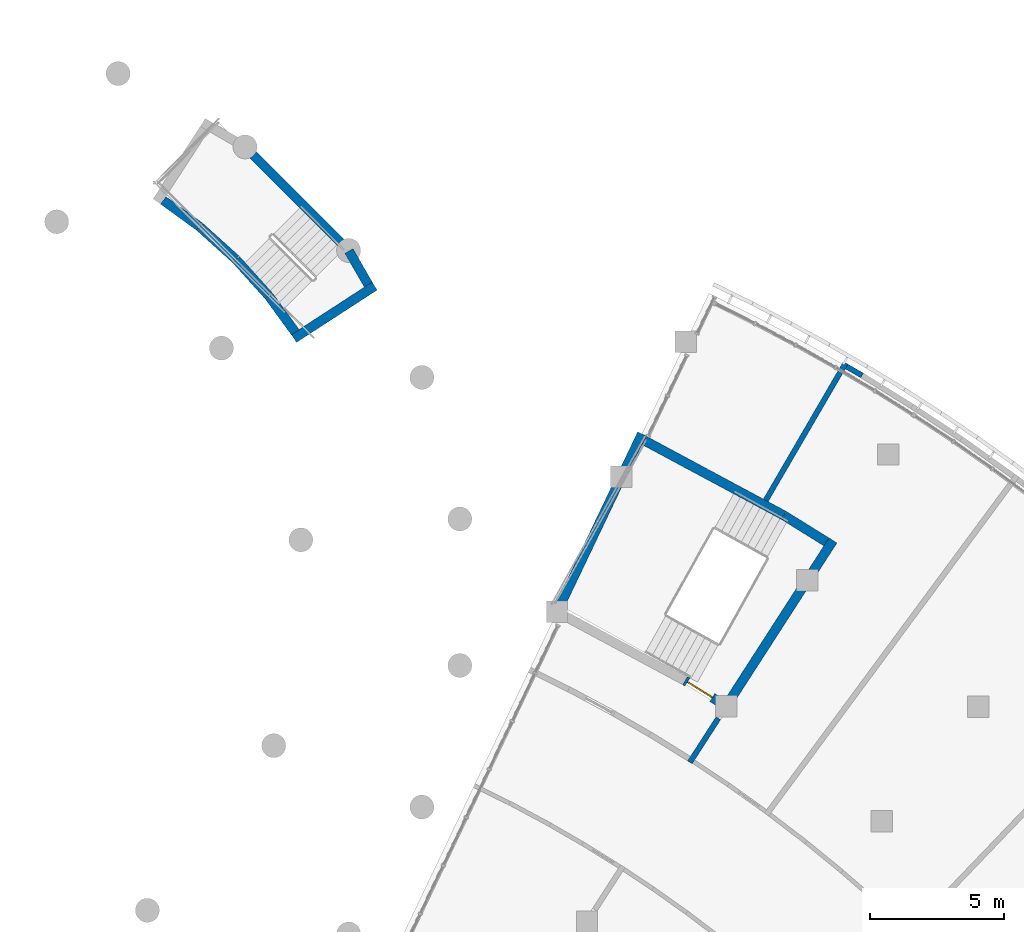
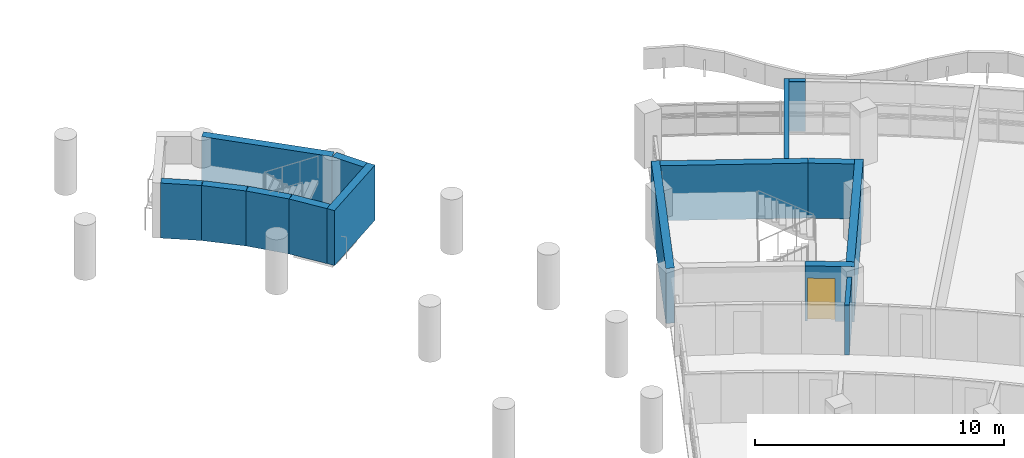
# One storey, part 41 of 89: 15 walls, 1 door, 1 opening.
"""IFC4 building model written with IfcOpenShell, lengths in metres."""

from ifc_helpers import new_model, si_unit, direction, frame, frame_2d, origin, place, context, subcontext, project, spatial, rectangle, extrude, material, layer, layer_set, type_object, element, fill, save


model = new_model("IFC4")

# Units and contexts
model_context = context("Model", 3, precision=1e-05, world=origin(), true_north=direction((0.0, 1.0)))
body_context = subcontext(model_context, "Body", "Model", "MODEL_VIEW")
ifc_project = project(units=[si_unit("LENGTHUNIT", "METRE"), si_unit("AREAUNIT", "SQUARE_METRE"), si_unit("VOLUMEUNIT", "CUBIC_METRE"), si_unit("PLANEANGLEUNIT", "RADIAN"), si_unit("MASSUNIT", "GRAM", prefix="KILO")], contexts=[model_context])

# Site, building, storey
site_placement = place(None, origin())
site = spatial("IfcSite", under=ifc_project, at=site_placement, CompositionType="ELEMENT")
building_placement = place(site_placement, origin())
building = spatial("IfcBuilding", under=site, at=building_placement, Name="Bougainvillea Quay General Hospital", CompositionType="ELEMENT")
storey_placement = place(building_placement, frame((0.0, 0.0, 9.89990234375)))
storey = spatial("IfcBuildingStorey", under=building, at=storey_placement, Name="L01M", CompositionType="ELEMENT", Elevation=9.89990234375)

# Walls
ifc_material_1 = material(Name="Fire-rated autoclaved aerated block wall, plastered")
ifc_layer_1 = layer(ifc_material_1, 0.199951171875)
ifc_layer_set_1 = layer_set([ifc_layer_1], Name="Fire-rated autoclaved aerated block wall, plastered")
wall_type_1 = type_object("IfcWallType", Name="Partition 200 Fire-rated autoclaved aerated block wall EI 120", PredefinedType="SOLIDWALL", material=ifc_layer_set_1)
wall_1_placement = place(storey_placement, frame((138.624755859375, 67.636962890625, 0.0), z_axis=(0.0, 0.0, 1.0), x_axis=(0.541789312023, 0.840514331453, 0.0)))
element("IfcWall", 1, at=wall_1_placement, inside=storey, type_object=wall_type_1, Name="Partition 200 mm EI 120", PredefinedType="SOLIDWALL", context=body_context, shape_type="SweptSolid", body=[
    extrude(rectangle(XDim=1.960693359375, YDim=0.199951171875, at=frame_2d((0.98046875, 0.0))), origin(), (0.0, 0.0, 1.0), 2.4501953125),
])
ifc_layer_2 = layer(ifc_material_1, 0.199951171875)
ifc_layer_set_2 = layer_set([ifc_layer_2], Name="Fire-rated autoclaved aerated block wall, plastered")
wall_type_2 = type_object("IfcWallType", Name="Partition 200 Fire-rated autoclaved aerated block wall EI 60", PredefinedType="SOLIDWALL", material=ifc_layer_set_2)
wall_2_placement = place(storey_placement, frame((141.462646484375, 77.43798828125, 0.0), z_axis=(0.0, 0.0, 1.0), x_axis=(0.502939293414, 0.864321738209, 0.0)))
element("IfcWall", 2, at=wall_2_placement, inside=storey, type_object=wall_type_2, Name="Partition 200 mm EI 60", PredefinedType="SOLIDWALL", context=body_context, shape_type="SweptSolid", body=[
    extrude(rectangle(XDim=5.948486328125, YDim=0.199951171875, at=frame_2d((2.97412109375, 0.0))), origin(), (0.0, 0.0, 1.0), 2.4501953125),
])
wall_3_placement = place(storey_placement, frame((144.490966796875, 82.44287109375, 0.0), z_axis=(0.0, 0.0, 1.0), x_axis=(0.865811983262, -0.500369473129, 0.0)))
element("IfcWall", 3, at=wall_3_placement, inside=storey, type_object=wall_type_2, Name="Partition 200 mm EI 60", PredefinedType="SOLIDWALL", context=body_context, shape_type="SweptSolid", body=[
    extrude(rectangle(XDim=0.6640625, YDim=0.199951171875, at=frame_2d((0.33203125, 0.0))), origin(), (0.0, 0.0, 1.0), 2.4501953125),
])
ifc_material_2 = material(Name="Concrete C40", Category="concrete")
ifc_layer_3 = layer(ifc_material_2, 0.35009765625)
ifc_layer_set_3 = layer_set([ifc_layer_3], Name="Concrete C40")
wall_type_3 = type_object("IfcWallType", Name="RC SHEAR WALL 350 C40", PredefinedType="SHEAR", material=ifc_layer_set_3)
wall_4_placement = place(storey_placement, frame((118.927490234375, 88.658203125, 0.0), z_axis=(0.0, 0.0, 1.0), x_axis=(0.808869786542, -0.587987813155, 0.0)))
element("IfcWall", 4, at=wall_4_placement, inside=storey, type_object=wall_type_3, Name="Shear wall L01M", PredefinedType="SHEAR", context=body_context, shape_type="SweptSolid", body=[
    extrude(rectangle(XDim=1.657958984375, YDim=0.35009765625, at=frame_2d((0.8291015625, 0.0))), origin(), (0.0, 0.0, 1.0), 2.7001953125),
])
for number, where, z_axis, x_axis, name in (
    (5, (120.28271484375, 87.671875, 0.0), (0.0, 0.0, 1.0), (0.743081147279, -0.669201321397, 0.0), "Shear wall L01M"),
    (6, (121.651123046875, 86.438232421875, 0.0), (0.0, 0.0, 1.0), (0.669201321397, -0.743081147279, 0.0), "Shear wall L01M"),
):
    element("IfcWall", number, at=place(storey_placement, frame(where, z_axis=z_axis, x_axis=x_axis)), inside=storey, type_object=wall_type_3, Name=name, PredefinedType="SHEAR", context=body_context, shape_type="SweptSolid", body=[
        extrude(rectangle(XDim=1.82421875, YDim=0.35009765625, at=frame_2d((0.912109375, 0.0))), origin(), (0.0, 0.0, 1.0), 2.7001953125),
    ])
wall_5_placement = place(storey_placement, frame((122.000244140625, 90.643798828125, 0.0), z_axis=(0.0, 0.0, 1.0), x_axis=(0.707106781187, -0.707106781187, 0.0)))
element("IfcWall", 7, at=wall_5_placement, inside=storey, type_object=wall_type_3, Name="Shear wall L01M", PredefinedType="SHEAR", context=body_context, shape_type="SweptSolid", body=[
    extrude(rectangle(XDim=5.435546875, YDim=0.35009765625, at=frame_2d((2.7177734375, 0.0))), origin(), (0.0, 0.0, 1.0), 2.7001953125),
])
wall_6_placement = place(storey_placement, frame((122.88330078125, 85.068603515625, 0.0), z_axis=(0.0, 0.0, 1.0), x_axis=(0.587987813155, -0.808869786542, 0.0)))
element("IfcWall", 8, at=wall_6_placement, inside=storey, type_object=wall_type_3, Name="Shear wall L01M", PredefinedType="SHEAR", context=body_context, shape_type="SweptSolid", body=[
    extrude(rectangle(XDim=1.657958984375, YDim=0.35009765625, at=frame_2d((0.8291015625, 0.0))), origin(), (0.0, 0.0, 1.0), 2.7001953125),
])
wall_7_placement = place(storey_placement, frame((123.814208984375, 83.49072265625, 0.0), z_axis=(0.0, 0.0, 1.0), x_axis=(0.838691576971, 0.544606682587, 0.0)))
element("IfcWall", 9, at=wall_7_placement, inside=storey, type_object=wall_type_3, Name="Shear wall L01M", PredefinedType="SHEAR", context=body_context, shape_type="SweptSolid", body=[
    extrude(rectangle(XDim=3.597900390625, YDim=0.35009765625, at=frame_2d((1.798828125, 0.0))), origin(), (0.0, 0.0, 1.0), 2.7001953125),
])
wall_8_placement = place(storey_placement, frame((125.87158203125, 86.76416015625, 0.0), z_axis=(0.0, 0.0, 1.0), x_axis=(0.499882561262, -0.866093196455, 0.0)))
element("IfcWall", 10, at=wall_8_placement, inside=storey, type_object=wall_type_3, Name="Shear wall L01M", PredefinedType="SHEAR", context=body_context, shape_type="SweptSolid", body=[
    extrude(rectangle(XDim=1.451904296875, YDim=0.35009765625, at=frame_2d((0.72607421875, 0.0))), origin(), (0.0, 0.0, 1.0), 2.7001953125),
])
wall_9_placement = place(storey_placement, frame((133.57763671875, 73.109130859375, 0.0), z_axis=(0.0, 0.0, 1.0), x_axis=(0.430592498036, 0.90254645345, 0.0)))
element("IfcWall", 11, at=wall_9_placement, inside=storey, type_object=wall_type_3, Name="Shear wall L01M", PredefinedType="SHEAR", context=body_context, shape_type="SweptSolid", body=[
    extrude(rectangle(XDim=7.549560546875, YDim=0.35009765625, at=frame_2d((3.77490234375, 0.0))), origin(), (0.0, 0.0, 1.0), 2.7001953125),
])

# Wall, opening, door
wall_10_placement = place(storey_placement, frame((138.44580078125, 70.692138671875, 0.0), z_axis=(0.0, 0.0, 1.0), x_axis=(0.849028347245, -0.528347296363, 0.0)))
wall_10 = element("IfcWall", 12, at=wall_10_placement, inside=storey, type_object=wall_type_3, Name="Shear wall L01M", PredefinedType="SHEAR", context=body_context, shape_type="SweptSolid", body=[
    extrude(rectangle(XDim=1.98095703125, YDim=0.35009765625, at=frame_2d((0.990478515625, 0.0))), origin(), (0.0, 0.0, 1.0), 2.7001953125),
])
opening_placement = place(wall_10_placement, frame((0.10009765625, 0.0, 0.0)))
opening = element("IfcOpeningElement", 13, at=opening_placement, cuts=wall_10, Name="Opening L01M.220", PredefinedType="OPENING", context=body_context, shape_type="SweptSolid", body=[
    extrude(rectangle(XDim=1.10009765625, YDim=2.10009765625, at=frame_2d((0.550048828125, 1.050048828125))), frame((0.0, 0.18505859375, 0.0), z_axis=(0.0, -1.0, 0.0), x_axis=(1.0, 0.0, 0.0)), (0.0, 0.0, 1.0), 0.3701171875),
])
ifc_material_3 = material(Name="Steel fire door leaf in steel frame", Category="steel")
door_type = type_object("IfcDoorType", Name="Steel single leaf door 1100x2100 FD60", OperationType="NOTDEFINED", PredefinedType="DOOR", material=ifc_material_3)
door_placement = place(opening_placement, origin())
door = element("IfcDoor", 14, at=door_placement, inside=storey, type_object=door_type, Name="DT04 L01M.220", OperationType="SINGLE_SWING_LEFT", OverallHeight=2.10009765625, OverallWidth=1.10009765625, PredefinedType="DOOR", context=body_context, shape_type="SweptSolid", body=[
    extrude(rectangle(XDim=1.10009765625, YDim=2.10009765625, at=frame_2d((0.550048828125, 1.050048828125))), frame((0.0, 0.02490234375, 0.0), z_axis=(0.0, -1.0, 0.0), x_axis=(1.0, 0.0, 0.0)), (0.0, 0.0, 1.0), 0.050048828125),
])
fill(opening, door)

# Walls
wall_11_placement = place(storey_placement, frame((140.07373046875, 69.885009765625, 0.0), z_axis=(0.0, 0.0, 1.0), x_axis=(0.541951537975, 0.840409739643, 0.0)))
element("IfcWall", 15, at=wall_11_placement, inside=storey, type_object=wall_type_3, Name="Shear wall L01M", PredefinedType="SHEAR", context=body_context, shape_type="SweptSolid", body=[
    extrude(rectangle(XDim=7.2001953125, YDim=0.35009765625, at=frame_2d((3.60009765625, 0.0))), origin(), (0.0, 0.0, 1.0), 2.7001953125),
])
wall_12_placement = place(storey_placement, frame((142.14208984375, 76.87060546875, 0.0), z_axis=(0.0, 0.0, 1.0), x_axis=(-0.880979840223, 0.473153802817, 0.0)))
element("IfcWall", 16, at=wall_12_placement, inside=storey, type_object=wall_type_3, Name="Shear wall L01M", PredefinedType="SHEAR", context=body_context, shape_type="SweptSolid", body=[
    extrude(rectangle(XDim=5.942138671875, YDim=0.35009765625, at=frame_2d((2.97119140625, 0.0))), origin(), (0.0, 0.0, 1.0), 2.7001953125),
])
wall_13_placement = place(storey_placement, frame((142.15185546875, 76.864990234375, 0.0), z_axis=(0.0, 0.0, 1.0), x_axis=(0.849013462734, -0.528371214296, 0.0)))
element("IfcWall", 17, at=wall_13_placement, inside=storey, type_object=wall_type_3, Name="Shear wall L01M", PredefinedType="SHEAR", context=body_context, shape_type="SweptSolid", body=[
    extrude(rectangle(XDim=1.861572265625, YDim=0.35009765625, at=frame_2d((0.9306640625, 0.0))), origin(), (0.0, 0.0, 1.0), 2.7001953125),
])

save(model, "model.ifc")
